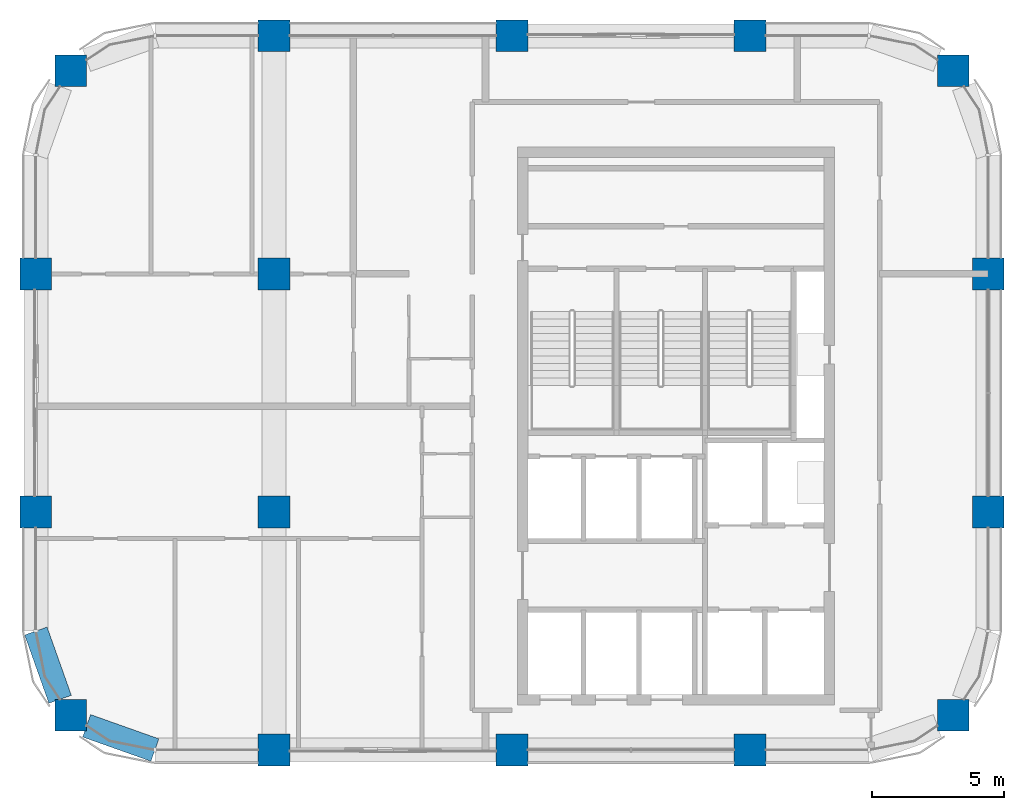
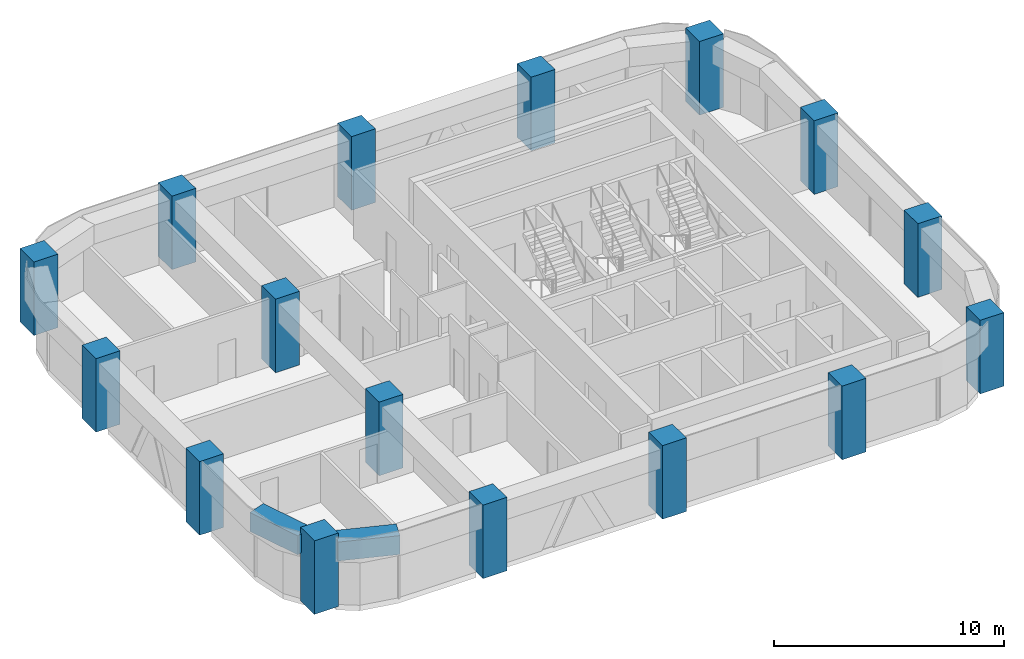
# One storey, part 1 of 10: 16 columns, 2 beams.
"""IFC4 building model written with IfcOpenShell, lengths in metres."""

from ifc_helpers import new_model, si_unit, direction, frame, origin, origin_2d, place, context, subcontext, project, spatial, rectangle, extrude, material, material_profile, profile_set, type_object, element, save


model = new_model("IFC4")

# Units and contexts
model_context = context("Model", 3, precision=1e-05, world=origin(), true_north=direction((0.0, 1.0)))
body_context = subcontext(model_context, "Body", "Model", "MODEL_VIEW")
ifc_project = project(units=[si_unit("LENGTHUNIT", "METRE"), si_unit("AREAUNIT", "SQUARE_METRE"), si_unit("VOLUMEUNIT", "CUBIC_METRE"), si_unit("PLANEANGLEUNIT", "RADIAN"), si_unit("MASSUNIT", "GRAM", prefix="KILO")], contexts=[model_context])

# Site, building, storey
site_placement = place(None, origin())
site = spatial("IfcSite", under=ifc_project, at=site_placement, CompositionType="ELEMENT")
building_placement = place(site_placement, origin())
building = spatial("IfcBuilding", under=site, at=building_placement, Name="Tessera Arch", CompositionType="ELEMENT")
storey_placement = place(building_placement, frame((0.0, 0.0, 254.0)))
storey = spatial("IfcBuildingStorey", under=building, at=storey_placement, Name="L61", CompositionType="ELEMENT", Elevation=254.0)

# Columns
ifc_material_1 = material(Name="Concrete C60/75", Category="concrete")
ifc_material_profile_1 = material_profile(ifc_material_1, rectangle(XDim=1.199951171875, YDim=1.199951171875, at=origin_2d()), Name="RC column 1200 x 1200 Concrete C60/75")
ifc_profile_set_1 = profile_set([ifc_material_profile_1], Name="Concrete C60/75")
column_type = type_object("IfcColumnType", Name="RC column 1200 x 1200 Concrete C60/75", PredefinedType="COLUMN", material=ifc_profile_set_1)
for number, where, z_axis, x_axis, name in (
    (1, (19.318115234375, 28.318115234375, 0.0), (0.0, 0.0, 1.0), (1.0, 0.0, 0.0), "Column C3D L61"),
    (2, (18.0, 36.0, 0.0), (0.0, 0.0, 1.0), (1.0, 0.0, 0.0), "Column C3E L61"),
    (3, (18.0, 45.0, 0.0), (0.0, 0.0, 1.0), (1.0, 0.0, 0.0), "Column C3F L61"),
    (4, (19.318115234375, 52.681884765625, 0.0), (0.0, 0.0, 1.0), (1.0, 0.0, 0.0), "Column C3G L61"),
    (5, (27.0, 27.0, 0.0), (0.0, 0.0, 1.0), (1.0, 0.0, 0.0), "Column C4D L61"),
    (6, (27.0, 36.0, 0.0), (0.0, 0.0, 1.0), (1.0, 0.0, 0.0), "Column C4E L61"),
    (7, (27.0, 45.0, 0.0), (0.0, 0.0, 1.0), (1.0, 0.0, 0.0), "Column C4F L61"),
    (8, (27.0, 54.0, 0.0), (0.0, 0.0, 1.0), (1.0, 0.0, 0.0), "Column C4G L61"),
    (9, (36.0, 27.0, 0.0), (0.0, 0.0, 1.0), (1.0, 0.0, 0.0), "Column C5D L61"),
    (10, (36.0, 54.0, 0.0), (0.0, 0.0, 1.0), (1.0, 0.0, 0.0), "Column C5G L61"),
    (11, (45.0, 27.0, 0.0), (0.0, 0.0, 1.0), (1.0, 0.0, 0.0), "Column C6D L61"),
    (12, (45.0, 54.0, 0.0), (0.0, 0.0, 1.0), (1.0, 0.0, 0.0), "Column C6G L61"),
    (13, (52.681884765625, 28.318115234375, 0.0), (0.0, 0.0, 1.0), (1.0, 0.0, 0.0), "Column C7D L61"),
    (14, (54.0, 36.0, 0.0), (0.0, 0.0, 1.0), (1.0, 0.0, 0.0), "Column C7E L61"),
    (15, (54.0, 45.0, 0.0), (0.0, 0.0, 1.0), (1.0, 0.0, 0.0), "Column C7F L61"),
    (16, (52.681884765625, 52.681884765625, 0.0), (0.0, 0.0, 1.0), (1.0, 0.0, 0.0), "Column C7G L61"),
):
    element("IfcColumn", number, at=place(storey_placement, frame(where, z_axis=z_axis, x_axis=x_axis)), inside=storey, type_object=column_type, Name=name, PredefinedType="COLUMN", context=body_context, shape_type="SweptSolid", body=[
        extrude(rectangle(XDim=1.199951171875, YDim=1.199951171875, at=origin_2d()), origin(), (0.0, 0.0, 1.0), 3.89990234375),
    ])

# Beams
ifc_material_2 = material(Name="Concrete C60/75", Category="concrete")
ifc_material_profile_2 = material_profile(ifc_material_2, rectangle(XDim=0.89990234375, YDim=1.0, at=origin_2d()), Name="RC spandrel beam 900 x 1000 Concrete C60/75")
ifc_profile_set_2 = profile_set([ifc_material_profile_2], Name="Concrete C60/75")
beam_type = type_object("IfcBeamType", Name="RC spandrel beam 900 x 1000 Concrete C60/75", PredefinedType="BEAM", material=ifc_profile_set_2)
for number, where, z_axis, x_axis, name in (
    (17, (18.0, 31.5, 3.10009765625), (0.334665114373, -0.942337127159, 0.0), (0.942337127159, 0.334665114373, 0.0), "Spandrel beam L61 W18.27/2.2"),
    (18, (19.91796875, 27.9169921875, 3.10009765625), (0.942337127159, -0.334665114373, 0.0), (0.334665114373, 0.942337127159, 0.0), "Spandrel beam L61 S27.18/0.1"),
):
    element("IfcBeam", number, at=place(storey_placement, frame(where, z_axis=z_axis, x_axis=x_axis)), inside=storey, type_object=beam_type, Name=name, PredefinedType="BEAM", context=body_context, shape_type="SweptSolid", body=[
        extrude(rectangle(XDim=0.89990234375, YDim=1.0, at=origin_2d()), origin(), (0.0, 0.0, 1.0), 2.739990234375),
    ])

save(model, "model.ifc")
